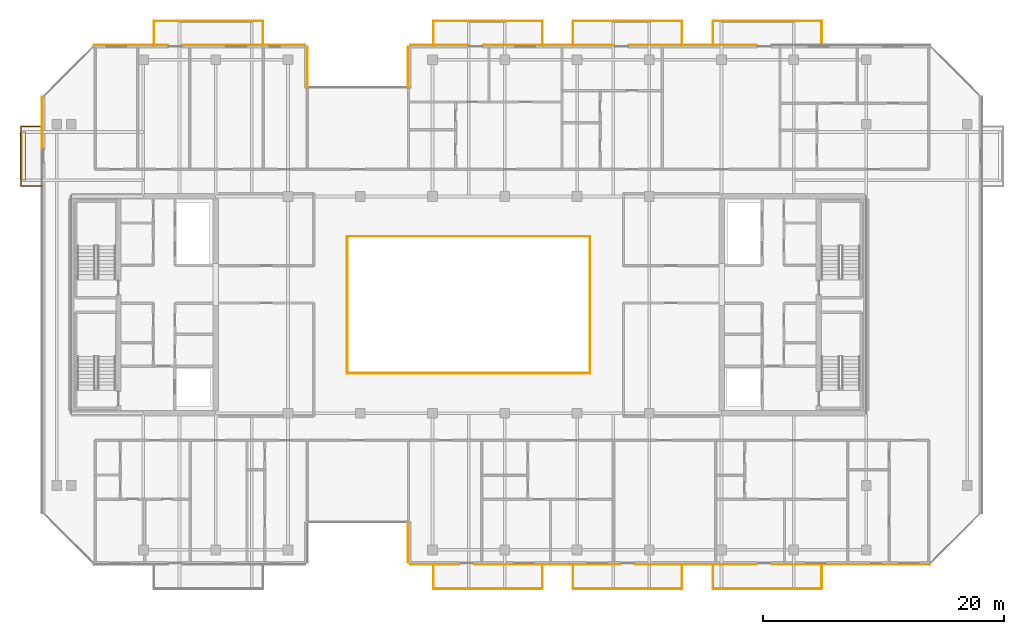
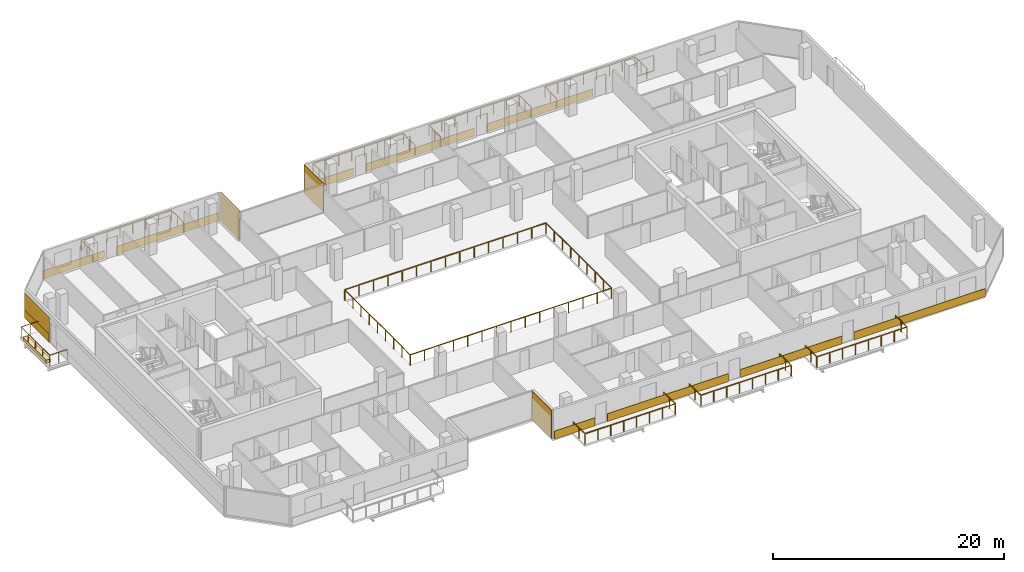
# One storey, part 27 of 28: 15 coverings, 10 railings.
"""IFC4 building model written with IfcOpenShell, lengths in metres."""

from ifc_helpers import new_model, si_unit, direction, frame, origin, origin_2d, place, context, subcontext, project, spatial, polyline, rectangle, outline, extrude, material, layer, layer_set, type_object, element, save


model = new_model("IFC4")

# Units and contexts
model_context = context("Model", 3, precision=1e-05, world=origin(), true_north=direction((0.0, 1.0)))
body_context = subcontext(model_context, "Body", "Model", "MODEL_VIEW")
ifc_project = project(units=[si_unit("LENGTHUNIT", "METRE"), si_unit("AREAUNIT", "SQUARE_METRE"), si_unit("VOLUMEUNIT", "CUBIC_METRE"), si_unit("PLANEANGLEUNIT", "RADIAN"), si_unit("MASSUNIT", "GRAM", prefix="KILO")], contexts=[model_context])

# Site, building, storey
site_placement = place(None, origin())
site = spatial("IfcSite", under=ifc_project, at=site_placement, CompositionType="ELEMENT")
building_placement = place(site_placement, origin())
building = spatial("IfcBuilding", under=site, at=building_placement, Name="Tanjung Sevakor Pilgrim Tower", CompositionType="ELEMENT")
storey_placement = place(building_placement, frame((0.0, 0.0, 185.1298828125)))
storey = spatial("IfcBuildingStorey", under=building, at=storey_placement, Name="L51", CompositionType="ELEMENT", Elevation=185.1298828125)

# Coverings
ifc_material_1 = material(Name="Reconstructed Limestone Cladding", Category="masonry")
ifc_layer_1 = layer(ifc_material_1, 0.044921875)
ifc_layer_set_1 = layer_set([ifc_layer_1], Name="COV-CLAD-LIMESTONE")
covering_type_1 = type_object("IfcCoveringType", Name="COV-CLAD-LIMESTONE", PredefinedType="CLADDING", material=ifc_layer_set_1)
covering_1_placement = place(storey_placement, frame((51.9775390625, 13.860107421875, 0.02001953125), z_axis=(0.0, 0.0, 1.0), x_axis=(0.0, -1.0, 0.0)))
element("IfcCovering", 1, at=covering_1_placement, inside=storey, type_object=covering_type_1, Name="L51 Warm Limestone Wall Cladding EW-L51-MAIN-4", PredefinedType="CLADDING", context=body_context, shape_type="SweptSolid", body=[
    extrude(rectangle(XDim=3.360107421875, YDim=0.044921875, at=origin_2d()), origin(), (0.0, 0.0, 1.0), 3.0400390625),
])
covering_2_placement = place(storey_placement, frame((54.195068359375, 12.027587890625, 0.01025390625), z_axis=(0.0, 0.0, 1.0), x_axis=(1.0, 0.0, 0.0)))
element("IfcCovering", 2, at=covering_2_placement, inside=storey, type_object=covering_type_1, Name="L51 Warm Limestone Sill Spandrel EW-L51-MAIN-5-1", PredefinedType="CLADDING", context=body_context, shape_type="SweptSolid", body=[
    extrude(rectangle(XDim=4.090087890625, YDim=0.044921875, at=origin_2d()), origin(), (0.0, 0.0, 1.0), 0.840087890625),
])
covering_3_placement = place(storey_placement, frame((63.52490234375, 12.027587890625, 0.01025390625), z_axis=(0.0, 0.0, 1.0), x_axis=(1.0, 0.0, 0.0)))
element("IfcCovering", 3, at=covering_3_placement, inside=storey, type_object=covering_type_1, Name="L51 Warm Limestone Sill Spandrel EW-L51-MAIN-5-2", PredefinedType="CLADDING", context=body_context, shape_type="SweptSolid", body=[
    extrude(rectangle(XDim=12.1298828125, YDim=0.044921875, at=origin_2d()), origin(), (0.0, 0.0, 1.0), 0.840087890625),
])
covering_4_placement = place(storey_placement, frame((75.875, 12.027587890625, 0.01025390625), z_axis=(0.0, 0.0, 1.0), x_axis=(1.0, 0.0, 0.0)))
element("IfcCovering", 4, at=covering_4_placement, inside=storey, type_object=covering_type_1, Name="L51 Warm Limestone Sill Spandrel EW-L51-MAIN-5-3", PredefinedType="CLADDING", context=body_context, shape_type="SweptSolid", body=[
    extrude(rectangle(XDim=10.1298828125, YDim=0.044921875, at=origin_2d()), origin(), (0.0, 0.0, 1.0), 0.840087890625),
])
covering_5_placement = place(storey_placement, frame((88.7373046875, 12.027587890625, 0.01025390625), z_axis=(0.0, 0.0, 1.0), x_axis=(1.0, 0.0, 0.0)))
element("IfcCovering", 5, at=covering_5_placement, inside=storey, type_object=covering_type_1, Name="L51 Warm Limestone Sill Spandrel EW-L51-MAIN-5-4", PredefinedType="CLADDING", context=body_context, shape_type="SweptSolid", body=[
    extrude(rectangle(XDim=13.154296875, YDim=0.044921875, at=origin_2d()), origin(), (0.0, 0.0, 1.0), 0.840087890625),
])
covering_6_placement = place(storey_placement, frame((75.625, 55.172607421875, 0.01025390625), z_axis=(0.0, 0.0, 1.0), x_axis=(-1.0, 0.0, 0.0)))
element("IfcCovering", 6, at=covering_6_placement, inside=storey, type_object=covering_type_1, Name="L51 Warm Limestone Sill Spandrel EW-L51-MAIN-9-2", PredefinedType="CLADDING", context=body_context, shape_type="SweptSolid", body=[
    extrude(rectangle(XDim=10.6298828125, YDim=0.044921875, at=origin_2d()), origin(), (0.0, 0.0, 1.0), 0.840087890625),
])
covering_7_placement = place(storey_placement, frame((63.64990234375, 55.172607421875, 0.01025390625), z_axis=(0.0, 0.0, 1.0), x_axis=(-1.0, 0.0, 0.0)))
element("IfcCovering", 7, at=covering_7_placement, inside=storey, type_object=covering_type_1, Name="L51 Warm Limestone Sill Spandrel EW-L51-MAIN-9-3", PredefinedType="CLADDING", context=body_context, shape_type="SweptSolid", body=[
    extrude(rectangle(XDim=10.8798828125, YDim=0.044921875, at=origin_2d()), origin(), (0.0, 0.0, 1.0), 0.840087890625),
])
covering_8_placement = place(storey_placement, frame((54.570068359375, 55.172607421875, 0.01025390625), z_axis=(0.0, 0.0, 1.0), x_axis=(-1.0, 0.0, 0.0)))
element("IfcCovering", 8, at=covering_8_placement, inside=storey, type_object=covering_type_1, Name="L51 Warm Limestone Sill Spandrel EW-L51-MAIN-9-4", PredefinedType="CLADDING", context=body_context, shape_type="SweptSolid", body=[
    extrude(rectangle(XDim=4.840087890625, YDim=0.044921875, at=origin_2d()), origin(), (0.0, 0.0, 1.0), 0.840087890625),
])
for number, where, z_axis, x_axis, name in (
    (9, (51.9775390625, 53.340087890625, 0.02001953125), (0.0, 0.0, 1.0), (0.0, -1.0, 0.0), "L51 Warm Limestone Wall Cladding EW-L51-MAIN-10"),
    (10, (43.62255859375, 53.340087890625, 0.02001953125), (0.0, 0.0, 1.0), (0.0, 1.0, 0.0), "L51 Warm Limestone Wall Cladding EW-L51-MAIN-12"),
):
    element("IfcCovering", number, at=place(storey_placement, frame(where, z_axis=z_axis, x_axis=x_axis)), inside=storey, type_object=covering_type_1, Name=name, PredefinedType="CLADDING", context=body_context, shape_type="SweptSolid", body=[
        extrude(rectangle(XDim=3.360107421875, YDim=0.044921875, at=origin_2d()), origin(), (0.0, 0.0, 1.0), 3.0400390625),
    ])
covering_9_placement = place(storey_placement, frame((38.35498046875, 55.172607421875, 0.01025390625), z_axis=(0.0, 0.0, 1.0), x_axis=(-1.0, 0.0, 0.0)))
element("IfcCovering", 11, at=covering_9_placement, inside=storey, type_object=covering_type_1, Name="L51 Warm Limestone Sill Spandrel EW-L51-MAIN-13-1", PredefinedType="CLADDING", context=body_context, shape_type="SweptSolid", body=[
    extrude(rectangle(XDim=10.18994140625, YDim=0.044921875, at=origin_2d()), origin(), (0.0, 0.0, 1.0), 0.840087890625),
])
covering_10_placement = place(storey_placement, frame((28.962890625, 55.172607421875, 0.01025390625), z_axis=(0.0, 0.0, 1.0), x_axis=(-1.0, 0.0, 0.0)))
element("IfcCovering", 12, at=covering_10_placement, inside=storey, type_object=covering_type_1, Name="L51 Warm Limestone Sill Spandrel EW-L51-MAIN-13-2", PredefinedType="CLADDING", context=body_context, shape_type="SweptSolid", body=[
    extrude(rectangle(XDim=6.154296875, YDim=0.044921875, at=origin_2d()), origin(), (0.0, 0.0, 1.0), 0.840087890625),
])
covering_11_placement = place(storey_placement, frame((21.577392578125, 48.712158203125, 0.01025390625), z_axis=(0.0, 0.0, 1.0), x_axis=(0.0, -1.0, 0.0)))
element("IfcCovering", 13, at=covering_11_placement, inside=storey, type_object=covering_type_1, Name="L51 Warm Limestone Sill Spandrel EW-L51-MAIN-15-1", PredefinedType="CLADDING", context=body_context, shape_type="SweptSolid", body=[
    extrude(rectangle(XDim=4.304443359375, YDim=0.044921875, at=origin_2d()), origin(), (0.0, 0.0, 1.0), 0.840087890625),
])
covering_12_placement = place(storey_placement, frame((21.577392578125, 48.707275390625, 0.85009765625), z_axis=(0.0, 0.0, 1.0), x_axis=(0.0, -1.0, 0.0)))
element("IfcCovering", 14, at=covering_12_placement, inside=storey, type_object=covering_type_1, Name="L51 Warm Limestone Pier Panel EW-L51-MAIN-15-1", PredefinedType="CLADDING", context=body_context, shape_type="SweptSolid", body=[
    extrude(rectangle(XDim=4.314453125, YDim=0.044921875, at=origin_2d()), origin(), (0.0, 0.0, 1.0), 1.81005859375),
])
ifc_material_2 = material(Name="Vegetated Modular Planter Assembly", Category="organic")
ifc_layer_2 = layer(ifc_material_2, 0.35009765625)
ifc_layer_set_2 = layer_set([ifc_layer_2], Name="COV-GRN-TROUGH")
covering_type_2 = type_object("IfcCoveringType", Name="COV-GRN-TROUGH", PredefinedType="CLADDING", material=ifc_layer_set_2)
covering_13_placement = place(storey_placement, origin())
element("IfcCovering", 15, at=covering_13_placement, inside=storey, type_object=covering_type_2, Name="L51 Planted Landscape Hedge Trough BGRN-L51-MAIN-W1", PredefinedType="CLADDING", context=body_context, shape_type="SweptSolid", body=[
    extrude(outline(polyline([(20.18994140625, 43.949951171875), (20.18994140625, 47.949951171875), (19.75, 47.949951171875), (19.75, 43.949951171875), (20.18994140625, 43.949951171875)])), origin(), (0.0, 0.0, 1.0), 0.35009765625),
])

# Railings
ifc_material_3 = material(Name="Laminated Glass and Aluminium", Category="aluminium")
railing_type = type_object("IfcRailingType", Name="RL-BAL-BALUST", PredefinedType="BALUSTRADE", material=ifc_material_3)
railing_1_placement = place(storey_placement, frame((46.919921875, 27.919921875, 0.0)))
element("IfcRailing", 16, at=railing_1_placement, inside=storey, type_object=railing_type, Name="L51 Void Opening Balustrade 1A", PredefinedType="BALUSTRADE", context=body_context, shape_type="SweptSolid", body=[
    extrude(rectangle(XDim=0.0479, YDim=0.0479), frame((0.0, 0.0, 1.1259765625), z_axis=(1.0, 0.0, 0.0), x_axis=(0.0, 1.0, 0.0)), (0.0, 0.0, 1.0), 20.16015625),
    extrude(rectangle(XDim=0.0479, YDim=0.0479), frame((20.16015625, 0.0, 1.1259765625), z_axis=(0.0, 1.0, 0.0), x_axis=(-1.0, 0.0, 0.0)), (0.0, 0.0, 1.0), 11.360107421875),
    extrude(rectangle(XDim=0.042, YDim=0.042), origin(), (0.0, 0.0, 1.0), 1.101806640625),
    extrude(rectangle(XDim=0.042, YDim=0.042), frame((1.43994140625, 0.0, 0.0)), (0.0, 0.0, 1.0), 1.101806640625),
    extrude(rectangle(XDim=0.042, YDim=0.042), frame((2.880126953125, 0.0, 0.0)), (0.0, 0.0, 1.0), 1.101806640625),
    extrude(rectangle(XDim=0.042, YDim=0.042), frame((4.320068359375, 0.0, 0.0)), (0.0, 0.0, 1.0), 1.101806640625),
    extrude(rectangle(XDim=0.042, YDim=0.042), frame((5.760009765625, 0.0, 0.0)), (0.0, 0.0, 1.0), 1.101806640625),
    extrude(rectangle(XDim=0.042, YDim=0.042), frame((7.199951171875, 0.0, 0.0)), (0.0, 0.0, 1.0), 1.101806640625),
    extrude(rectangle(XDim=0.042, YDim=0.042), frame((8.64013671875, 0.0, 0.0)), (0.0, 0.0, 1.0), 1.101806640625),
    extrude(rectangle(XDim=0.042, YDim=0.042), frame((10.080078125, 0.0, 0.0)), (0.0, 0.0, 1.0), 1.101806640625),
    extrude(rectangle(XDim=0.042, YDim=0.042), frame((11.52001953125, 0.0, 0.0)), (0.0, 0.0, 1.0), 1.101806640625),
    extrude(rectangle(XDim=0.042, YDim=0.042), frame((12.960205078125, 0.0, 0.0)), (0.0, 0.0, 1.0), 1.101806640625),
    extrude(rectangle(XDim=0.042, YDim=0.042), frame((14.400146484375, 0.0, 0.0)), (0.0, 0.0, 1.0), 1.101806640625),
    extrude(rectangle(XDim=0.042, YDim=0.042), frame((15.840087890625, 0.0, 0.0)), (0.0, 0.0, 1.0), 1.101806640625),
    extrude(rectangle(XDim=0.042, YDim=0.042), frame((17.280029296875, 0.0, 0.0)), (0.0, 0.0, 1.0), 1.101806640625),
    extrude(rectangle(XDim=0.042, YDim=0.042), frame((18.72021484375, 0.0, 0.0)), (0.0, 0.0, 1.0), 1.101806640625),
    extrude(rectangle(XDim=0.042, YDim=0.042), frame((20.16015625, 0.0, 0.0)), (0.0, 0.0, 1.0), 1.101806640625),
    extrude(rectangle(XDim=0.042, YDim=0.042), frame((20.16015625, 1.419921875, 0.0)), (0.0, 0.0, 1.0), 1.101806640625),
    extrude(rectangle(XDim=0.042, YDim=0.042), frame((20.16015625, 2.840087890625, 0.0)), (0.0, 0.0, 1.0), 1.101806640625),
    extrude(rectangle(XDim=0.042, YDim=0.042), frame((20.16015625, 4.260009765625, 0.0)), (0.0, 0.0, 1.0), 1.101806640625),
    extrude(rectangle(XDim=0.042, YDim=0.042), frame((20.16015625, 5.68017578125, 0.0)), (0.0, 0.0, 1.0), 1.101806640625),
    extrude(rectangle(XDim=0.042, YDim=0.042), frame((20.16015625, 7.10009765625, 0.0)), (0.0, 0.0, 1.0), 1.101806640625),
    extrude(rectangle(XDim=0.042, YDim=0.042), frame((20.16015625, 8.52001953125, 0.0)), (0.0, 0.0, 1.0), 1.101806640625),
    extrude(rectangle(XDim=0.042, YDim=0.042), frame((20.16015625, 9.940185546875, 0.0)), (0.0, 0.0, 1.0), 1.101806640625),
    extrude(rectangle(XDim=0.042, YDim=0.042), frame((20.16015625, 11.360107421875, 0.0)), (0.0, 0.0, 1.0), 1.101806640625),
])
railing_2_placement = place(storey_placement, frame((67.080078125, 39.280029296875, 0.0)))
element("IfcRailing", 17, at=railing_2_placement, inside=storey, type_object=railing_type, Name="L51 Void Opening Balustrade 1B", PredefinedType="BALUSTRADE", context=body_context, shape_type="SweptSolid", body=[
    extrude(rectangle(XDim=0.0479, YDim=0.0479), frame((0.0, 0.0, 1.1259765625), z_axis=(-1.0, 0.0, 0.0), x_axis=(0.0, -1.0, 0.0)), (0.0, 0.0, 1.0), 20.16015625),
    extrude(rectangle(XDim=0.0479, YDim=0.0479), frame((-20.16015625, 0.0, 1.1259765625), z_axis=(0.0, -1.0, 0.0), x_axis=(1.0, 0.0, 0.0)), (0.0, 0.0, 1.0), 11.360107421875),
    extrude(rectangle(XDim=0.042, YDim=0.042), origin(), (0.0, 0.0, 1.0), 1.101806640625),
    extrude(rectangle(XDim=0.042, YDim=0.042), frame((-1.43994140625, 0.0, 0.0)), (0.0, 0.0, 1.0), 1.101806640625),
    extrude(rectangle(XDim=0.042, YDim=0.042), frame((-2.880126953125, 0.0, 0.0)), (0.0, 0.0, 1.0), 1.101806640625),
    extrude(rectangle(XDim=0.042, YDim=0.042), frame((-4.320068359375, 0.0, 0.0)), (0.0, 0.0, 1.0), 1.101806640625),
    extrude(rectangle(XDim=0.042, YDim=0.042), frame((-5.760009765625, 0.0, 0.0)), (0.0, 0.0, 1.0), 1.101806640625),
    extrude(rectangle(XDim=0.042, YDim=0.042), frame((-7.199951171875, 0.0, 0.0)), (0.0, 0.0, 1.0), 1.101806640625),
    extrude(rectangle(XDim=0.042, YDim=0.042), frame((-8.64013671875, 0.0, 0.0)), (0.0, 0.0, 1.0), 1.101806640625),
    extrude(rectangle(XDim=0.042, YDim=0.042), frame((-10.080078125, 0.0, 0.0)), (0.0, 0.0, 1.0), 1.101806640625),
    extrude(rectangle(XDim=0.042, YDim=0.042), frame((-11.52001953125, 0.0, 0.0)), (0.0, 0.0, 1.0), 1.101806640625),
    extrude(rectangle(XDim=0.042, YDim=0.042), frame((-12.960205078125, 0.0, 0.0)), (0.0, 0.0, 1.0), 1.101806640625),
    extrude(rectangle(XDim=0.042, YDim=0.042), frame((-14.400146484375, 0.0, 0.0)), (0.0, 0.0, 1.0), 1.101806640625),
    extrude(rectangle(XDim=0.042, YDim=0.042), frame((-15.840087890625, 0.0, 0.0)), (0.0, 0.0, 1.0), 1.101806640625),
    extrude(rectangle(XDim=0.042, YDim=0.042), frame((-17.280029296875, 0.0, 0.0)), (0.0, 0.0, 1.0), 1.101806640625),
    extrude(rectangle(XDim=0.042, YDim=0.042), frame((-18.72021484375, 0.0, 0.0)), (0.0, 0.0, 1.0), 1.101806640625),
    extrude(rectangle(XDim=0.042, YDim=0.042), frame((-20.16015625, 0.0, 0.0)), (0.0, 0.0, 1.0), 1.101806640625),
    extrude(rectangle(XDim=0.042, YDim=0.042), frame((-20.16015625, -1.419921875, 0.0)), (0.0, 0.0, 1.0), 1.101806640625),
    extrude(rectangle(XDim=0.042, YDim=0.042), frame((-20.16015625, -2.840087890625, 0.0)), (0.0, 0.0, 1.0), 1.101806640625),
    extrude(rectangle(XDim=0.042, YDim=0.042), frame((-20.16015625, -4.260009765625, 0.0)), (0.0, 0.0, 1.0), 1.101806640625),
    extrude(rectangle(XDim=0.042, YDim=0.042), frame((-20.16015625, -5.68017578125, 0.0)), (0.0, 0.0, 1.0), 1.101806640625),
    extrude(rectangle(XDim=0.042, YDim=0.042), frame((-20.16015625, -7.10009765625, 0.0)), (0.0, 0.0, 1.0), 1.101806640625),
    extrude(rectangle(XDim=0.042, YDim=0.042), frame((-20.16015625, -8.52001953125, 0.0)), (0.0, 0.0, 1.0), 1.101806640625),
    extrude(rectangle(XDim=0.042, YDim=0.042), frame((-20.16015625, -9.940185546875, 0.0)), (0.0, 0.0, 1.0), 1.101806640625),
    extrude(rectangle(XDim=0.042, YDim=0.042), frame((-20.16015625, -11.360107421875, 0.0)), (0.0, 0.0, 1.0), 1.101806640625),
])
railing_3_placement = place(storey_placement, frame((30.8798828125, 55.14990234375, 0.0)))
element("IfcRailing", 18, at=railing_3_placement, inside=storey, type_object=railing_type, Name="L51 Loggia Balustrade MAIN-N1", PredefinedType="BALUSTRADE", context=body_context, shape_type="SweptSolid", body=[
    extrude(rectangle(XDim=0.0479, YDim=0.0479), frame((0.0, 0.0, 1.1259765625), z_axis=(0.0, 1.0, 0.0), x_axis=(-1.0, 0.0, 0.0)), (0.0, 0.0, 1.0), 2.02001953125),
    extrude(rectangle(XDim=0.0479, YDim=0.0479), frame((0.0, 2.02001953125, 1.1259765625), z_axis=(1.0, 0.0, 0.0), x_axis=(0.0, 1.0, 0.0)), (0.0, 0.0, 1.0), 9.0400390625),
    extrude(rectangle(XDim=0.0479, YDim=0.0479), frame((9.0400390625, 2.02001953125, 1.1259765625), z_axis=(0.0, -1.0, 0.0), x_axis=(1.0, 0.0, 0.0)), (0.0, 0.0, 1.0), 2.02001953125),
    extrude(rectangle(XDim=0.042, YDim=0.042), origin(), (0.0, 0.0, 1.0), 1.101806640625),
    extrude(rectangle(XDim=0.042, YDim=0.042), frame((0.0, 1.010009765625, 0.0)), (0.0, 0.0, 1.0), 1.101806640625),
    extrude(rectangle(XDim=0.042, YDim=0.042), frame((0.0, 2.02001953125, 0.0)), (0.0, 0.0, 1.0), 1.101806640625),
    extrude(rectangle(XDim=0.042, YDim=0.042), frame((1.29150390625, 2.02001953125, 0.0)), (0.0, 0.0, 1.0), 1.101806640625),
    extrude(rectangle(XDim=0.042, YDim=0.042), frame((2.582763671875, 2.02001953125, 0.0)), (0.0, 0.0, 1.0), 1.101806640625),
    extrude(rectangle(XDim=0.042, YDim=0.042), frame((3.874267578125, 2.02001953125, 0.0)), (0.0, 0.0, 1.0), 1.101806640625),
    extrude(rectangle(XDim=0.042, YDim=0.042), frame((5.165771484375, 2.02001953125, 0.0)), (0.0, 0.0, 1.0), 1.101806640625),
    extrude(rectangle(XDim=0.042, YDim=0.042), frame((6.457275390625, 2.02001953125, 0.0)), (0.0, 0.0, 1.0), 1.101806640625),
    extrude(rectangle(XDim=0.042, YDim=0.042), frame((7.74853515625, 2.02001953125, 0.0)), (0.0, 0.0, 1.0), 1.101806640625),
    extrude(rectangle(XDim=0.042, YDim=0.042), frame((9.0400390625, 2.02001953125, 0.0)), (0.0, 0.0, 1.0), 1.101806640625),
    extrude(rectangle(XDim=0.042, YDim=0.042), frame((9.0400390625, 1.010009765625, 0.0)), (0.0, 0.0, 1.0), 1.101806640625),
    extrude(rectangle(XDim=0.042, YDim=0.042), frame((9.0400390625, 0.0, 0.0)), (0.0, 0.0, 1.0), 1.101806640625),
])
railing_4_placement = place(storey_placement, frame((54.080078125, 12.050048828125, 0.0)))
element("IfcRailing", 19, at=railing_4_placement, inside=storey, type_object=railing_type, Name="L51 Loggia Balustrade MAIN-S2", PredefinedType="BALUSTRADE", context=body_context, shape_type="SweptSolid", body=[
    extrude(rectangle(XDim=0.0479, YDim=0.0479), frame((0.0, 0.0, 1.1259765625), z_axis=(0.0, -1.0, 0.0), x_axis=(1.0, 0.0, 0.0)), (0.0, 0.0, 1.0), 2.02001953125),
    extrude(rectangle(XDim=0.0479, YDim=0.0479), frame((0.0, -2.02001953125, 1.1259765625), z_axis=(1.0, 0.0, 0.0), x_axis=(0.0, 1.0, 0.0)), (0.0, 0.0, 1.0), 9.0400390625),
    extrude(rectangle(XDim=0.0479, YDim=0.0479), frame((9.0400390625, -2.02001953125, 1.1259765625), z_axis=(0.0, 1.0, 0.0), x_axis=(-1.0, 0.0, 0.0)), (0.0, 0.0, 1.0), 2.02001953125),
    extrude(rectangle(XDim=0.042, YDim=0.042), origin(), (0.0, 0.0, 1.0), 1.101806640625),
    extrude(rectangle(XDim=0.042, YDim=0.042), frame((0.0, -1.010009765625, 0.0)), (0.0, 0.0, 1.0), 1.101806640625),
    extrude(rectangle(XDim=0.042, YDim=0.042), frame((0.0, -2.02001953125, 0.0)), (0.0, 0.0, 1.0), 1.101806640625),
    extrude(rectangle(XDim=0.042, YDim=0.042), frame((1.29150390625, -2.02001953125, 0.0)), (0.0, 0.0, 1.0), 1.101806640625),
    extrude(rectangle(XDim=0.042, YDim=0.042), frame((2.582763671875, -2.02001953125, 0.0)), (0.0, 0.0, 1.0), 1.101806640625),
    extrude(rectangle(XDim=0.042, YDim=0.042), frame((3.874267578125, -2.02001953125, 0.0)), (0.0, 0.0, 1.0), 1.101806640625),
    extrude(rectangle(XDim=0.042, YDim=0.042), frame((5.165771484375, -2.02001953125, 0.0)), (0.0, 0.0, 1.0), 1.101806640625),
    extrude(rectangle(XDim=0.042, YDim=0.042), frame((6.457275390625, -2.02001953125, 0.0)), (0.0, 0.0, 1.0), 1.101806640625),
    extrude(rectangle(XDim=0.042, YDim=0.042), frame((7.74853515625, -2.02001953125, 0.0)), (0.0, 0.0, 1.0), 1.101806640625),
    extrude(rectangle(XDim=0.042, YDim=0.042), frame((9.0400390625, -2.02001953125, 0.0)), (0.0, 0.0, 1.0), 1.101806640625),
    extrude(rectangle(XDim=0.042, YDim=0.042), frame((9.0400390625, -1.010009765625, 0.0)), (0.0, 0.0, 1.0), 1.101806640625),
    extrude(rectangle(XDim=0.042, YDim=0.042), frame((9.0400390625, 0.0, 0.0)), (0.0, 0.0, 1.0), 1.101806640625),
])
railing_5_placement = place(storey_placement, frame((54.080078125, 55.14990234375, 0.0)))
element("IfcRailing", 20, at=railing_5_placement, inside=storey, type_object=railing_type, Name="L51 Loggia Balustrade MAIN-N2", PredefinedType="BALUSTRADE", context=body_context, shape_type="SweptSolid", body=[
    extrude(rectangle(XDim=0.0479, YDim=0.0479), frame((0.0, 0.0, 1.1259765625), z_axis=(0.0, 1.0, 0.0), x_axis=(-1.0, 0.0, 0.0)), (0.0, 0.0, 1.0), 2.02001953125),
    extrude(rectangle(XDim=0.0479, YDim=0.0479), frame((0.0, 2.02001953125, 1.1259765625), z_axis=(1.0, 0.0, 0.0), x_axis=(0.0, 1.0, 0.0)), (0.0, 0.0, 1.0), 9.0400390625),
    extrude(rectangle(XDim=0.0479, YDim=0.0479), frame((9.0400390625, 2.02001953125, 1.1259765625), z_axis=(0.0, -1.0, 0.0), x_axis=(1.0, 0.0, 0.0)), (0.0, 0.0, 1.0), 2.02001953125),
    extrude(rectangle(XDim=0.042, YDim=0.042), origin(), (0.0, 0.0, 1.0), 1.101806640625),
    extrude(rectangle(XDim=0.042, YDim=0.042), frame((0.0, 1.010009765625, 0.0)), (0.0, 0.0, 1.0), 1.101806640625),
    extrude(rectangle(XDim=0.042, YDim=0.042), frame((0.0, 2.02001953125, 0.0)), (0.0, 0.0, 1.0), 1.101806640625),
    extrude(rectangle(XDim=0.042, YDim=0.042), frame((1.29150390625, 2.02001953125, 0.0)), (0.0, 0.0, 1.0), 1.101806640625),
    extrude(rectangle(XDim=0.042, YDim=0.042), frame((2.582763671875, 2.02001953125, 0.0)), (0.0, 0.0, 1.0), 1.101806640625),
    extrude(rectangle(XDim=0.042, YDim=0.042), frame((3.874267578125, 2.02001953125, 0.0)), (0.0, 0.0, 1.0), 1.101806640625),
    extrude(rectangle(XDim=0.042, YDim=0.042), frame((5.165771484375, 2.02001953125, 0.0)), (0.0, 0.0, 1.0), 1.101806640625),
    extrude(rectangle(XDim=0.042, YDim=0.042), frame((6.457275390625, 2.02001953125, 0.0)), (0.0, 0.0, 1.0), 1.101806640625),
    extrude(rectangle(XDim=0.042, YDim=0.042), frame((7.74853515625, 2.02001953125, 0.0)), (0.0, 0.0, 1.0), 1.101806640625),
    extrude(rectangle(XDim=0.042, YDim=0.042), frame((9.0400390625, 2.02001953125, 0.0)), (0.0, 0.0, 1.0), 1.101806640625),
    extrude(rectangle(XDim=0.042, YDim=0.042), frame((9.0400390625, 1.010009765625, 0.0)), (0.0, 0.0, 1.0), 1.101806640625),
    extrude(rectangle(XDim=0.042, YDim=0.042), frame((9.0400390625, 0.0, 0.0)), (0.0, 0.0, 1.0), 1.101806640625),
])
railing_6_placement = place(storey_placement, frame((65.679931640625, 12.050048828125, 0.0)))
element("IfcRailing", 21, at=railing_6_placement, inside=storey, type_object=railing_type, Name="L51 Loggia Balustrade MAIN-S3", PredefinedType="BALUSTRADE", context=body_context, shape_type="SweptSolid", body=[
    extrude(rectangle(XDim=0.0479, YDim=0.0479), frame((0.0, 0.0, 1.1259765625), z_axis=(0.0, -1.0, 0.0), x_axis=(1.0, 0.0, 0.0)), (0.0, 0.0, 1.0), 2.02001953125),
    extrude(rectangle(XDim=0.0479, YDim=0.0479), frame((0.0, -2.02001953125, 1.1259765625), z_axis=(1.0, 0.0, 0.0), x_axis=(0.0, 1.0, 0.0)), (0.0, 0.0, 1.0), 9.0400390625),
    extrude(rectangle(XDim=0.0479, YDim=0.0479), frame((9.0400390625, -2.02001953125, 1.1259765625), z_axis=(0.0, 1.0, 0.0), x_axis=(-1.0, 0.0, 0.0)), (0.0, 0.0, 1.0), 2.02001953125),
    extrude(rectangle(XDim=0.042, YDim=0.042), origin(), (0.0, 0.0, 1.0), 1.101806640625),
    extrude(rectangle(XDim=0.042, YDim=0.042), frame((0.0, -1.010009765625, 0.0)), (0.0, 0.0, 1.0), 1.101806640625),
    extrude(rectangle(XDim=0.042, YDim=0.042), frame((0.0, -2.02001953125, 0.0)), (0.0, 0.0, 1.0), 1.101806640625),
    extrude(rectangle(XDim=0.042, YDim=0.042), frame((1.29150390625, -2.02001953125, 0.0)), (0.0, 0.0, 1.0), 1.101806640625),
    extrude(rectangle(XDim=0.042, YDim=0.042), frame((2.582763671875, -2.02001953125, 0.0)), (0.0, 0.0, 1.0), 1.101806640625),
    extrude(rectangle(XDim=0.042, YDim=0.042), frame((3.874267578125, -2.02001953125, 0.0)), (0.0, 0.0, 1.0), 1.101806640625),
    extrude(rectangle(XDim=0.042, YDim=0.042), frame((5.165771484375, -2.02001953125, 0.0)), (0.0, 0.0, 1.0), 1.101806640625),
    extrude(rectangle(XDim=0.042, YDim=0.042), frame((6.457275390625, -2.02001953125, 0.0)), (0.0, 0.0, 1.0), 1.101806640625),
    extrude(rectangle(XDim=0.042, YDim=0.042), frame((7.74853515625, -2.02001953125, 0.0)), (0.0, 0.0, 1.0), 1.101806640625),
    extrude(rectangle(XDim=0.042, YDim=0.042), frame((9.0400390625, -2.02001953125, 0.0)), (0.0, 0.0, 1.0), 1.101806640625),
    extrude(rectangle(XDim=0.042, YDim=0.042), frame((9.0400390625, -1.010009765625, 0.0)), (0.0, 0.0, 1.0), 1.101806640625),
    extrude(rectangle(XDim=0.042, YDim=0.042), frame((9.0400390625, 0.0, 0.0)), (0.0, 0.0, 1.0), 1.101806640625),
])
railing_7_placement = place(storey_placement, frame((65.679931640625, 55.14990234375, 0.0)))
element("IfcRailing", 22, at=railing_7_placement, inside=storey, type_object=railing_type, Name="L51 Loggia Balustrade MAIN-N3", PredefinedType="BALUSTRADE", context=body_context, shape_type="SweptSolid", body=[
    extrude(rectangle(XDim=0.0479, YDim=0.0479), frame((0.0, 0.0, 1.1259765625), z_axis=(0.0, 1.0, 0.0), x_axis=(-1.0, 0.0, 0.0)), (0.0, 0.0, 1.0), 2.02001953125),
    extrude(rectangle(XDim=0.0479, YDim=0.0479), frame((0.0, 2.02001953125, 1.1259765625), z_axis=(1.0, 0.0, 0.0), x_axis=(0.0, 1.0, 0.0)), (0.0, 0.0, 1.0), 9.0400390625),
    extrude(rectangle(XDim=0.0479, YDim=0.0479), frame((9.0400390625, 2.02001953125, 1.1259765625), z_axis=(0.0, -1.0, 0.0), x_axis=(1.0, 0.0, 0.0)), (0.0, 0.0, 1.0), 2.02001953125),
    extrude(rectangle(XDim=0.042, YDim=0.042), origin(), (0.0, 0.0, 1.0), 1.101806640625),
    extrude(rectangle(XDim=0.042, YDim=0.042), frame((0.0, 1.010009765625, 0.0)), (0.0, 0.0, 1.0), 1.101806640625),
    extrude(rectangle(XDim=0.042, YDim=0.042), frame((0.0, 2.02001953125, 0.0)), (0.0, 0.0, 1.0), 1.101806640625),
    extrude(rectangle(XDim=0.042, YDim=0.042), frame((1.29150390625, 2.02001953125, 0.0)), (0.0, 0.0, 1.0), 1.101806640625),
    extrude(rectangle(XDim=0.042, YDim=0.042), frame((2.582763671875, 2.02001953125, 0.0)), (0.0, 0.0, 1.0), 1.101806640625),
    extrude(rectangle(XDim=0.042, YDim=0.042), frame((3.874267578125, 2.02001953125, 0.0)), (0.0, 0.0, 1.0), 1.101806640625),
    extrude(rectangle(XDim=0.042, YDim=0.042), frame((5.165771484375, 2.02001953125, 0.0)), (0.0, 0.0, 1.0), 1.101806640625),
    extrude(rectangle(XDim=0.042, YDim=0.042), frame((6.457275390625, 2.02001953125, 0.0)), (0.0, 0.0, 1.0), 1.101806640625),
    extrude(rectangle(XDim=0.042, YDim=0.042), frame((7.74853515625, 2.02001953125, 0.0)), (0.0, 0.0, 1.0), 1.101806640625),
    extrude(rectangle(XDim=0.042, YDim=0.042), frame((9.0400390625, 2.02001953125, 0.0)), (0.0, 0.0, 1.0), 1.101806640625),
    extrude(rectangle(XDim=0.042, YDim=0.042), frame((9.0400390625, 1.010009765625, 0.0)), (0.0, 0.0, 1.0), 1.101806640625),
    extrude(rectangle(XDim=0.042, YDim=0.042), frame((9.0400390625, 0.0, 0.0)), (0.0, 0.0, 1.0), 1.101806640625),
])
railing_8_placement = place(storey_placement, frame((77.280029296875, 12.050048828125, 0.0)))
element("IfcRailing", 23, at=railing_8_placement, inside=storey, type_object=railing_type, Name="L51 Loggia Balustrade MAIN-S4", PredefinedType="BALUSTRADE", context=body_context, shape_type="SweptSolid", body=[
    extrude(rectangle(XDim=0.0479, YDim=0.0479), frame((0.0, 0.0, 1.1259765625), z_axis=(0.0, -1.0, 0.0), x_axis=(1.0, 0.0, 0.0)), (0.0, 0.0, 1.0), 2.02001953125),
    extrude(rectangle(XDim=0.0479, YDim=0.0479), frame((0.0, -2.02001953125, 1.1259765625), z_axis=(1.0, 0.0, 0.0), x_axis=(0.0, 1.0, 0.0)), (0.0, 0.0, 1.0), 9.0400390625),
    extrude(rectangle(XDim=0.0479, YDim=0.0479), frame((9.0400390625, -2.02001953125, 1.1259765625), z_axis=(0.0, 1.0, 0.0), x_axis=(-1.0, 0.0, 0.0)), (0.0, 0.0, 1.0), 2.02001953125),
    extrude(rectangle(XDim=0.042, YDim=0.042), origin(), (0.0, 0.0, 1.0), 1.101806640625),
    extrude(rectangle(XDim=0.042, YDim=0.042), frame((0.0, -1.010009765625, 0.0)), (0.0, 0.0, 1.0), 1.101806640625),
    extrude(rectangle(XDim=0.042, YDim=0.042), frame((0.0, -2.02001953125, 0.0)), (0.0, 0.0, 1.0), 1.101806640625),
    extrude(rectangle(XDim=0.042, YDim=0.042), frame((1.29150390625, -2.02001953125, 0.0)), (0.0, 0.0, 1.0), 1.101806640625),
    extrude(rectangle(XDim=0.042, YDim=0.042), frame((2.582763671875, -2.02001953125, 0.0)), (0.0, 0.0, 1.0), 1.101806640625),
    extrude(rectangle(XDim=0.042, YDim=0.042), frame((3.874267578125, -2.02001953125, 0.0)), (0.0, 0.0, 1.0), 1.101806640625),
    extrude(rectangle(XDim=0.042, YDim=0.042), frame((5.165771484375, -2.02001953125, 0.0)), (0.0, 0.0, 1.0), 1.101806640625),
    extrude(rectangle(XDim=0.042, YDim=0.042), frame((6.457275390625, -2.02001953125, 0.0)), (0.0, 0.0, 1.0), 1.101806640625),
    extrude(rectangle(XDim=0.042, YDim=0.042), frame((7.74853515625, -2.02001953125, 0.0)), (0.0, 0.0, 1.0), 1.101806640625),
    extrude(rectangle(XDim=0.042, YDim=0.042), frame((9.0400390625, -2.02001953125, 0.0)), (0.0, 0.0, 1.0), 1.101806640625),
    extrude(rectangle(XDim=0.042, YDim=0.042), frame((9.0400390625, -1.010009765625, 0.0)), (0.0, 0.0, 1.0), 1.101806640625),
    extrude(rectangle(XDim=0.042, YDim=0.042), frame((9.0400390625, 0.0, 0.0)), (0.0, 0.0, 1.0), 1.101806640625),
])
railing_9_placement = place(storey_placement, frame((77.280029296875, 55.14990234375, 0.0)))
element("IfcRailing", 24, at=railing_9_placement, inside=storey, type_object=railing_type, Name="L51 Loggia Balustrade MAIN-N4", PredefinedType="BALUSTRADE", context=body_context, shape_type="SweptSolid", body=[
    extrude(rectangle(XDim=0.0479, YDim=0.0479), frame((0.0, 0.0, 1.1259765625), z_axis=(0.0, 1.0, 0.0), x_axis=(-1.0, 0.0, 0.0)), (0.0, 0.0, 1.0), 2.02001953125),
    extrude(rectangle(XDim=0.0479, YDim=0.0479), frame((0.0, 2.02001953125, 1.1259765625), z_axis=(1.0, 0.0, 0.0), x_axis=(0.0, 1.0, 0.0)), (0.0, 0.0, 1.0), 9.0400390625),
    extrude(rectangle(XDim=0.0479, YDim=0.0479), frame((9.0400390625, 2.02001953125, 1.1259765625), z_axis=(0.0, -1.0, 0.0), x_axis=(1.0, 0.0, 0.0)), (0.0, 0.0, 1.0), 2.02001953125),
    extrude(rectangle(XDim=0.042, YDim=0.042), origin(), (0.0, 0.0, 1.0), 1.101806640625),
    extrude(rectangle(XDim=0.042, YDim=0.042), frame((0.0, 1.010009765625, 0.0)), (0.0, 0.0, 1.0), 1.101806640625),
    extrude(rectangle(XDim=0.042, YDim=0.042), frame((0.0, 2.02001953125, 0.0)), (0.0, 0.0, 1.0), 1.101806640625),
    extrude(rectangle(XDim=0.042, YDim=0.042), frame((1.29150390625, 2.02001953125, 0.0)), (0.0, 0.0, 1.0), 1.101806640625),
    extrude(rectangle(XDim=0.042, YDim=0.042), frame((2.582763671875, 2.02001953125, 0.0)), (0.0, 0.0, 1.0), 1.101806640625),
    extrude(rectangle(XDim=0.042, YDim=0.042), frame((3.874267578125, 2.02001953125, 0.0)), (0.0, 0.0, 1.0), 1.101806640625),
    extrude(rectangle(XDim=0.042, YDim=0.042), frame((5.165771484375, 2.02001953125, 0.0)), (0.0, 0.0, 1.0), 1.101806640625),
    extrude(rectangle(XDim=0.042, YDim=0.042), frame((6.457275390625, 2.02001953125, 0.0)), (0.0, 0.0, 1.0), 1.101806640625),
    extrude(rectangle(XDim=0.042, YDim=0.042), frame((7.74853515625, 2.02001953125, 0.0)), (0.0, 0.0, 1.0), 1.101806640625),
    extrude(rectangle(XDim=0.042, YDim=0.042), frame((9.0400390625, 2.02001953125, 0.0)), (0.0, 0.0, 1.0), 1.101806640625),
    extrude(rectangle(XDim=0.042, YDim=0.042), frame((9.0400390625, 1.010009765625, 0.0)), (0.0, 0.0, 1.0), 1.101806640625),
    extrude(rectangle(XDim=0.042, YDim=0.042), frame((9.0400390625, 0.0, 0.0)), (0.0, 0.0, 1.0), 1.101806640625),
])
railing_10_placement = place(storey_placement, frame((21.60009765625, 43.47998046875, 0.0)))
element("IfcRailing", 25, at=railing_10_placement, inside=storey, type_object=railing_type, Name="L51 Loggia Balustrade MAIN-W1", PredefinedType="BALUSTRADE", context=body_context, shape_type="SweptSolid", body=[
    extrude(rectangle(XDim=0.0479, YDim=0.0479), frame((0.0, 0.0, 1.1259765625), z_axis=(-1.0, 0.0, 0.0), x_axis=(0.0, -1.0, 0.0)), (0.0, 0.0, 1.0), 1.77001953125),
    extrude(rectangle(XDim=0.0479, YDim=0.0479), frame((-1.77001953125, 0.0, 1.1259765625), z_axis=(0.0, 1.0, 0.0), x_axis=(-1.0, 0.0, 0.0)), (0.0, 0.0, 1.0), 4.93994140625),
    extrude(rectangle(XDim=0.0479, YDim=0.0479), frame((-1.77001953125, 4.93994140625, 1.1259765625), z_axis=(1.0, 0.0, 0.0), x_axis=(0.0, 1.0, 0.0)), (0.0, 0.0, 1.0), 1.77001953125),
    extrude(rectangle(XDim=0.042, YDim=0.042), origin(), (0.0, 0.0, 1.0), 1.101806640625),
    extrude(rectangle(XDim=0.042, YDim=0.042), frame((-0.885009765625, 0.0, 0.0)), (0.0, 0.0, 1.0), 1.101806640625),
    extrude(rectangle(XDim=0.042, YDim=0.042), frame((-1.77001953125, 0.0, 0.0)), (0.0, 0.0, 1.0), 1.101806640625),
    extrude(rectangle(XDim=0.042, YDim=0.042), frame((-1.77001953125, 1.23486328125, 0.0)), (0.0, 0.0, 1.0), 1.101806640625),
    extrude(rectangle(XDim=0.042, YDim=0.042), frame((-1.77001953125, 2.469970703125, 0.0)), (0.0, 0.0, 1.0), 1.101806640625),
    extrude(rectangle(XDim=0.042, YDim=0.042), frame((-1.77001953125, 3.705078125, 0.0)), (0.0, 0.0, 1.0), 1.101806640625),
    extrude(rectangle(XDim=0.042, YDim=0.042), frame((-1.77001953125, 4.93994140625, 0.0)), (0.0, 0.0, 1.0), 1.101806640625),
    extrude(rectangle(XDim=0.042, YDim=0.042), frame((-0.885009765625, 4.93994140625, 0.0)), (0.0, 0.0, 1.0), 1.101806640625),
    extrude(rectangle(XDim=0.042, YDim=0.042), frame((0.0, 4.93994140625, 0.0)), (0.0, 0.0, 1.0), 1.101806640625),
])

save(model, "model.ifc")
